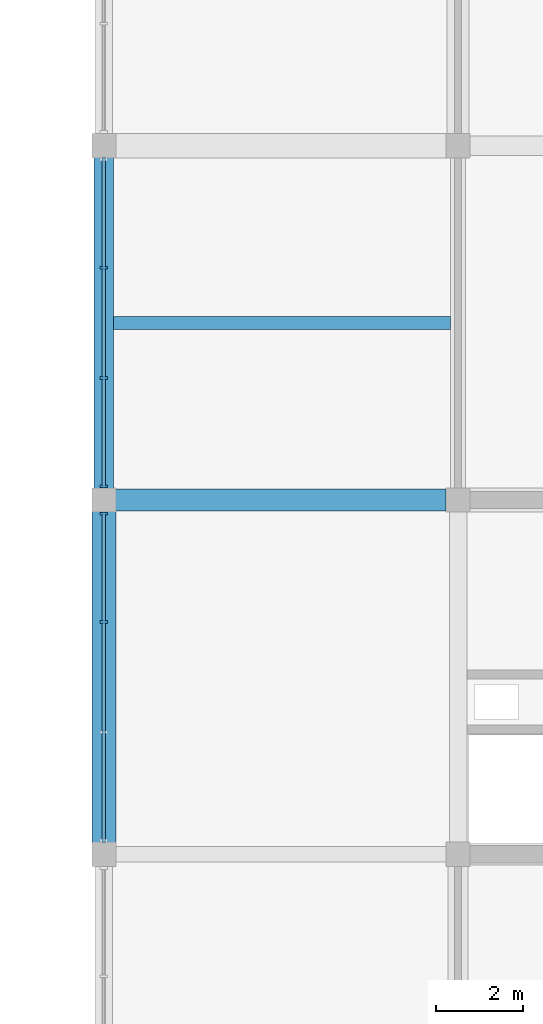
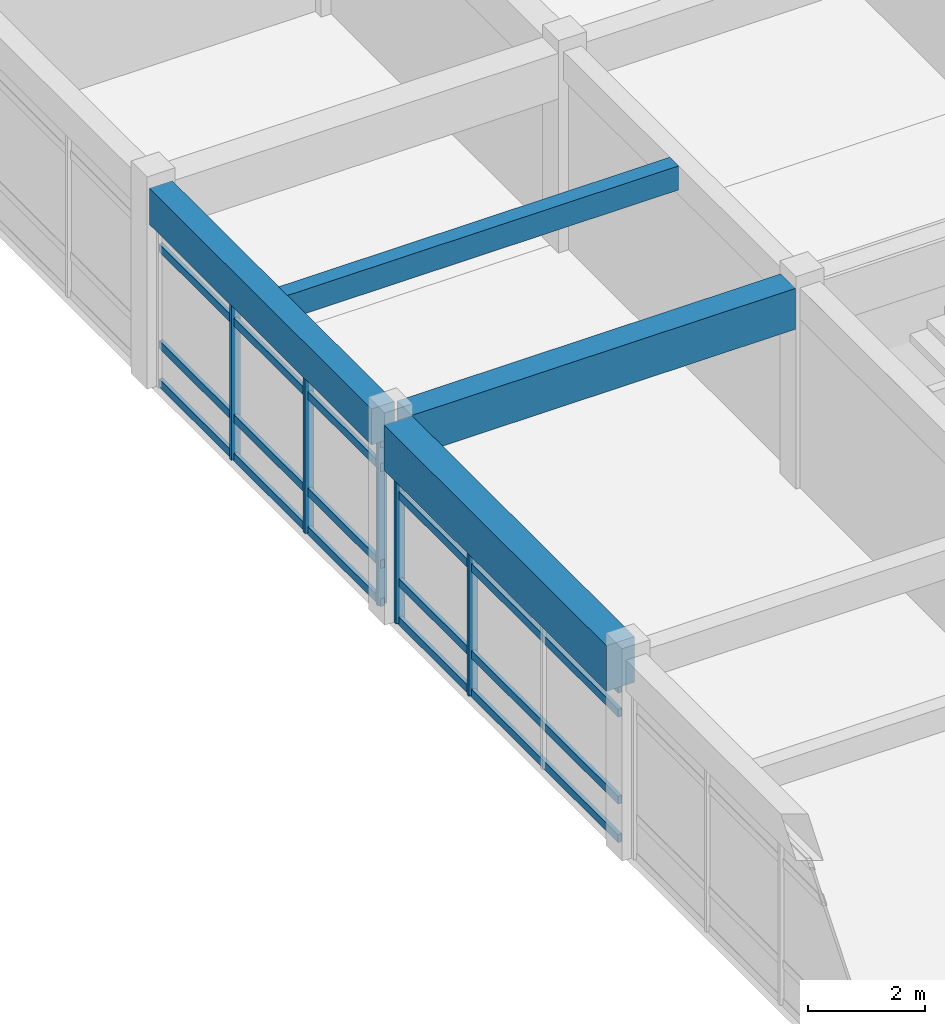
# One storey, part 14 of 33: 13 members, 4 beams, 2 elements without a shape of their own.
"""IFC4 building model written with IfcOpenShell, lengths in metres."""

from ifc_helpers import new_model, si_unit, direction, frame, origin, origin_2d, place, context, subcontext, project, spatial, rectangle, extrude, material, layer, layer_set, material_profile, profile_set, type_object, element, aggregate, save


model = new_model("IFC4")

# Units and contexts
model_context = context("Model", 3, precision=1e-05, world=origin(), true_north=direction((0.0, 1.0)))
body_context = subcontext(model_context, "Body", "Model", "MODEL_VIEW")
ifc_project = project(units=[si_unit("LENGTHUNIT", "METRE"), si_unit("AREAUNIT", "SQUARE_METRE"), si_unit("VOLUMEUNIT", "CUBIC_METRE"), si_unit("PLANEANGLEUNIT", "RADIAN"), si_unit("MASSUNIT", "GRAM", prefix="KILO")], contexts=[model_context])

# Site, building, storey
site_placement = place(None, origin())
site = spatial("IfcSite", under=ifc_project, at=site_placement, CompositionType="ELEMENT")
building_placement = place(site_placement, origin())
building = spatial("IfcBuilding", under=site, at=building_placement, Name="Vaudrelin Polytechnic", CompositionType="ELEMENT")
storey_placement = place(building_placement, frame((0.0, 0.0, 27.3701171875)))
storey = spatial("IfcBuildingStorey", under=building, at=storey_placement, Name="L06", CompositionType="ELEMENT", Elevation=27.3701171875)

# Beams
ifc_material_1 = material(Name="Concrete 40 MPa", Category="concrete")
ifc_material_profile_1 = material_profile(ifc_material_1, rectangle(XDim=0.449951171875, YDim=0.75, at=origin_2d()), Name="RC450x750")
ifc_profile_set_1 = profile_set([ifc_material_profile_1], Name="Concrete 40 MPa")
beam_type_1 = type_object("IfcBeamType", Name="BM-BM-RC4575", PredefinedType="BEAM", material=ifc_profile_set_1)
beam_1_placement = place(storey_placement, frame((137.699951171875, 73.159912109375, 3.784912109375), z_axis=(0.0, 1.0, 0.0), x_axis=(-1.0, 0.0, 0.0)))
element("IfcBeam", 1, at=beam_1_placement, inside=storey, type_object=beam_type_1, Name="L06 Y-beam 18-10", PredefinedType="BEAM", context=body_context, shape_type="SweptSolid", body=[
    extrude(rectangle(XDim=0.449951171875, YDim=0.75, at=origin_2d()), origin(), (0.0, 0.0, 1.0), 7.580078125),
])
ifc_material_profile_2 = material_profile(ifc_material_1, rectangle(XDim=0.5, YDim=0.85009765625, at=origin_2d()), Name="RC500x850")
ifc_profile_set_2 = profile_set([ifc_material_profile_2], Name="Concrete 40 MPa")
beam_type_2 = type_object("IfcBeamType", Name="BM-BM-RC5085", PredefinedType="BEAM", material=ifc_profile_set_2)
beam_2_placement = place(storey_placement, frame((137.970947265625, 72.89990234375, 3.73486328125), z_axis=(1.0, 0.0, 0.0), x_axis=(0.0, 1.0, 0.0)))
element("IfcBeam", 2, at=beam_2_placement, inside=storey, type_object=beam_type_2, Name="L06 X-beam 18-10", PredefinedType="BEAM", context=body_context, shape_type="SweptSolid", body=[
    extrude(rectangle(XDim=0.5, YDim=0.85009765625, at=origin_2d()), origin(), (0.0, 0.0, 1.0), 7.55810546875),
])
ifc_material_2 = material(Name="Concrete 50 MPa", Category="concrete")
ifc_material_profile_3 = material_profile(ifc_material_2, rectangle(XDim=0.550048828125, YDim=0.949951171875, at=origin_2d()), Name="RC550x950")
ifc_profile_set_3 = profile_set([ifc_material_profile_3], Name="Concrete 50 MPa")
beam_type_3 = type_object("IfcBeamType", Name="BM-BM-RC5595", PredefinedType="BEAM", material=ifc_profile_set_3)
beam_3_placement = place(storey_placement, frame((137.699951171875, 65.06005859375, 3.684814453125), z_axis=(0.0, 1.0, 0.0), x_axis=(-1.0, 0.0, 0.0)))
element("IfcBeam", 3, at=beam_3_placement, inside=storey, type_object=beam_type_3, Name="L06 Y-beam 18-9", PredefinedType="BEAM", context=body_context, shape_type="SweptSolid", body=[
    extrude(rectangle(XDim=0.550048828125, YDim=0.949951171875, at=origin_2d()), origin(), (0.0, 0.0, 1.0), 7.579833984375),
])
ifc_material_profile_4 = material_profile(ifc_material_1, rectangle(XDim=0.300048828125, YDim=0.5, at=origin_2d()), Name="RC300x500")
ifc_profile_set_4 = profile_set([ifc_material_profile_4], Name="Concrete 40 MPa")
beam_type_4 = type_object("IfcBeamType", Name="BM-JS-RC3050", PredefinedType="JOIST", material=ifc_profile_set_4)
beam_4_placement = place(storey_placement, frame((137.9208984375, 76.949951171875, 3.909912109375), z_axis=(1.0, 0.0, 0.0), x_axis=(0.0, 1.0, 0.0)))
element("IfcBeam", 4, at=beam_4_placement, inside=storey, type_object=beam_type_4, Name="L06 floor joist 18-10", PredefinedType="JOIST", context=body_context, shape_type="SweptSolid", body=[
    extrude(rectangle(XDim=0.300048828125, YDim=0.5, at=origin_2d()), origin(), (0.0, 0.0, 1.0), 7.7080078125),
])

# Curtain wall, members
ifc_material_3 = material(Name="Thermally broken anodised aluminium AA 6063-T6 and low-e triple glazing", Category="aluminium")
ifc_layer = layer(ifc_material_3, 0.199951171875)
ifc_layer_set = layer_set([ifc_layer], Name="Thermally broken anodised aluminium AA 6063-T6 and low-e triple glazing")
curtain_wall_type = type_object("IfcCurtainWallType", Name="CW-CW-LAB", PredefinedType="USERDEFINED", material=ifc_layer_set)
curtain_wall_1_placement = place(storey_placement, origin())
curtain_wall_1 = element("IfcCurtainWall", 5, at=curtain_wall_1_placement, inside=storey, type_object=curtain_wall_type, Name="Curtain wall L06 W_V4_04", ObjectType="CURTAIN WALL", PredefinedType="USERDEFINED")
ifc_material_4 = material(Name="Anodised aluminium AA 6063-T6", Category="aluminium")
ifc_material_profile_5 = material_profile(ifc_material_4, rectangle(XDim=0.06494140625, YDim=0.179931640625, at=origin_2d()), Name="CWM-65x180")
ifc_profile_set_5 = profile_set([ifc_material_profile_5], Name="Anodised aluminium AA 6063-T6")
member_type_1 = type_object("IfcMemberType", Name="MEM-CWM-180", PredefinedType="MULLION", material=ifc_profile_set_5)
member_1_placement = place(storey_placement, frame((137.699951171875, 70.10888671875, 0.0), z_axis=(0.0, 0.0, 1.0), x_axis=(0.0, 1.0, 0.0)))
member_1 = element("IfcMember", 6, at=member_1_placement, type_object=member_type_1, Name="W_V4_04 mullion 3", PredefinedType="MULLION", context=body_context, shape_type="SweptSolid", body=[
    extrude(rectangle(XDim=0.06494140625, YDim=0.179931640625, at=origin_2d()), origin(), (0.0, 0.0, 1.0), 3.2119140625),
])
member_2_placement = place(storey_placement, frame((137.699951171875, 72.5869140625, 0.0), z_axis=(0.0, 0.0, 1.0), x_axis=(0.0, 1.0, 0.0)))
member_2 = element("IfcMember", 7, at=member_2_placement, type_object=member_type_1, Name="W_V4_04 mullion 4", PredefinedType="MULLION", context=body_context, shape_type="SweptSolid", body=[
    extrude(rectangle(XDim=0.06494140625, YDim=0.179931640625, at=origin_2d()), origin(), (0.0, 0.0, 1.0), 3.2119140625),
])

curtain_wall_2_placement = place(storey_placement, origin())
curtain_wall_2 = element("IfcCurtainWall", 8, at=curtain_wall_2_placement, inside=storey, type_object=curtain_wall_type, Name="Curtain wall L06 W_V4_05", ObjectType="CURTAIN WALL", PredefinedType="USERDEFINED")
member_3_placement = place(storey_placement, frame((137.699951171875, 73.212890625, 0.0), z_axis=(0.0, 0.0, 1.0), x_axis=(0.0, 1.0, 0.0)))
member_3 = element("IfcMember", 9, at=member_3_placement, type_object=member_type_1, Name="W_V4_05 mullion 1", PredefinedType="MULLION", context=body_context, shape_type="SweptSolid", body=[
    extrude(rectangle(XDim=0.06494140625, YDim=0.179931640625, at=origin_2d()), origin(), (0.0, 0.0, 1.0), 3.411865234375),
])
member_4_placement = place(storey_placement, frame((137.699951171875, 75.69091796875, 0.0), z_axis=(0.0, 0.0, 1.0), x_axis=(0.0, 1.0, 0.0)))
member_4 = element("IfcMember", 10, at=member_4_placement, type_object=member_type_1, Name="W_V4_05 mullion 2", PredefinedType="MULLION", context=body_context, shape_type="SweptSolid", body=[
    extrude(rectangle(XDim=0.06494140625, YDim=0.179931640625, at=origin_2d()), origin(), (0.0, 0.0, 1.0), 3.411865234375),
])
member_5_placement = place(storey_placement, frame((137.699951171875, 78.208984375, 0.0), z_axis=(0.0, 0.0, 1.0), x_axis=(0.0, 1.0, 0.0)))
member_5 = element("IfcMember", 11, at=member_5_placement, type_object=member_type_1, Name="W_V4_05 mullion 3", PredefinedType="MULLION", context=body_context, shape_type="SweptSolid", body=[
    extrude(rectangle(XDim=0.06494140625, YDim=0.179931640625, at=origin_2d()), origin(), (0.0, 0.0, 1.0), 3.411865234375),
])

# Member
ifc_material_profile_6 = material_profile(ifc_material_4, rectangle(XDim=0.074951171875, YDim=0.1650390625, at=origin_2d()), Name="CWT-75x165")
ifc_profile_set_6 = profile_set([ifc_material_profile_6], Name="Anodised aluminium AA 6063-T6")
member_type_2 = type_object("IfcMemberType", Name="MEM-CWT-165", PredefinedType="USERDEFINED", material=ifc_profile_set_6)
member_6_placement = place(storey_placement, frame((137.699951171875, 65.072998046875, 0.0498046875), z_axis=(0.0, 1.0, 0.0), x_axis=(-1.0, 0.0, 0.0)))
member_6 = element("IfcMember", 12, at=member_6_placement, type_object=member_type_2, Name="W_V4_04 transom 1", ObjectType="TRANSOM", PredefinedType="USERDEFINED", context=body_context, shape_type="SweptSolid", body=[
    extrude(rectangle(XDim=0.074951171875, YDim=0.1650390625, at=origin_2d()), origin(), (0.0, 0.0, 1.0), 7.553955078125),
])

member_7_placement = place(storey_placement, frame((137.699951171875, 65.072998046875, 0.849853515625), z_axis=(0.0, 1.0, 0.0), x_axis=(-1.0, 0.0, 0.0)))
member_7 = element("IfcMember", 13, at=member_7_placement, type_object=member_type_2, Name="W_V4_04 transom 2", ObjectType="TRANSOM", PredefinedType="USERDEFINED", context=body_context, shape_type="SweptSolid", body=[
    extrude(rectangle(XDim=0.074951171875, YDim=0.1650390625, at=origin_2d()), origin(), (0.0, 0.0, 1.0), 7.553955078125),
])

member_8_placement = place(storey_placement, frame((137.699951171875, 65.072998046875, 2.661865234375), z_axis=(0.0, 1.0, 0.0), x_axis=(-1.0, 0.0, 0.0)))
member_8 = element("IfcMember", 14, at=member_8_placement, type_object=member_type_2, Name="W_V4_04 transom 3", ObjectType="TRANSOM", PredefinedType="USERDEFINED", context=body_context, shape_type="SweptSolid", body=[
    extrude(rectangle(XDim=0.074951171875, YDim=0.1650390625, at=origin_2d()), origin(), (0.0, 0.0, 1.0), 7.553955078125),
])

member_9_placement = place(storey_placement, frame((137.699951171875, 65.072998046875, 3.161865234375), z_axis=(0.0, 1.0, 0.0), x_axis=(-1.0, 0.0, 0.0)))
member_9 = element("IfcMember", 15, at=member_9_placement, type_object=member_type_2, Name="W_V4_04 transom 4", ObjectType="TRANSOM", PredefinedType="USERDEFINED", context=body_context, shape_type="SweptSolid", body=[
    extrude(rectangle(XDim=0.074951171875, YDim=0.1650390625, at=origin_2d()), origin(), (0.0, 0.0, 1.0), 7.553955078125),
])

aggregate(curtain_wall_1, [member_1, member_2, member_6, member_7, member_8, member_9])

member_10_placement = place(storey_placement, frame((137.699951171875, 73.173095703125, 0.0498046875), z_axis=(0.0, 1.0, 0.0), x_axis=(-1.0, 0.0, 0.0)))
member_10 = element("IfcMember", 16, at=member_10_placement, type_object=member_type_2, Name="W_V4_05 transom 1", ObjectType="TRANSOM", PredefinedType="USERDEFINED", context=body_context, shape_type="SweptSolid", body=[
    extrude(rectangle(XDim=0.074951171875, YDim=0.1650390625, at=origin_2d()), origin(), (0.0, 0.0, 1.0), 7.553955078125),
])

member_11_placement = place(storey_placement, frame((137.699951171875, 73.173095703125, 0.849853515625), z_axis=(0.0, 1.0, 0.0), x_axis=(-1.0, 0.0, 0.0)))
member_11 = element("IfcMember", 17, at=member_11_placement, type_object=member_type_2, Name="W_V4_05 transom 2", ObjectType="TRANSOM", PredefinedType="USERDEFINED", context=body_context, shape_type="SweptSolid", body=[
    extrude(rectangle(XDim=0.074951171875, YDim=0.1650390625, at=origin_2d()), origin(), (0.0, 0.0, 1.0), 7.553955078125),
])

member_12_placement = place(storey_placement, frame((137.699951171875, 73.173095703125, 2.86181640625), z_axis=(0.0, 1.0, 0.0), x_axis=(-1.0, 0.0, 0.0)))
member_12 = element("IfcMember", 18, at=member_12_placement, type_object=member_type_2, Name="W_V4_05 transom 3", ObjectType="TRANSOM", PredefinedType="USERDEFINED", context=body_context, shape_type="SweptSolid", body=[
    extrude(rectangle(XDim=0.074951171875, YDim=0.1650390625, at=origin_2d()), origin(), (0.0, 0.0, 1.0), 7.553955078125),
])

member_13_placement = place(storey_placement, frame((137.699951171875, 73.173095703125, 3.36181640625), z_axis=(0.0, 1.0, 0.0), x_axis=(-1.0, 0.0, 0.0)))
member_13 = element("IfcMember", 19, at=member_13_placement, type_object=member_type_2, Name="W_V4_05 transom 4", ObjectType="TRANSOM", PredefinedType="USERDEFINED", context=body_context, shape_type="SweptSolid", body=[
    extrude(rectangle(XDim=0.074951171875, YDim=0.1650390625, at=origin_2d()), origin(), (0.0, 0.0, 1.0), 7.553955078125),
])

aggregate(curtain_wall_2, [member_3, member_4, member_5, member_10, member_11, member_12, member_13])

save(model, "model.ifc")
